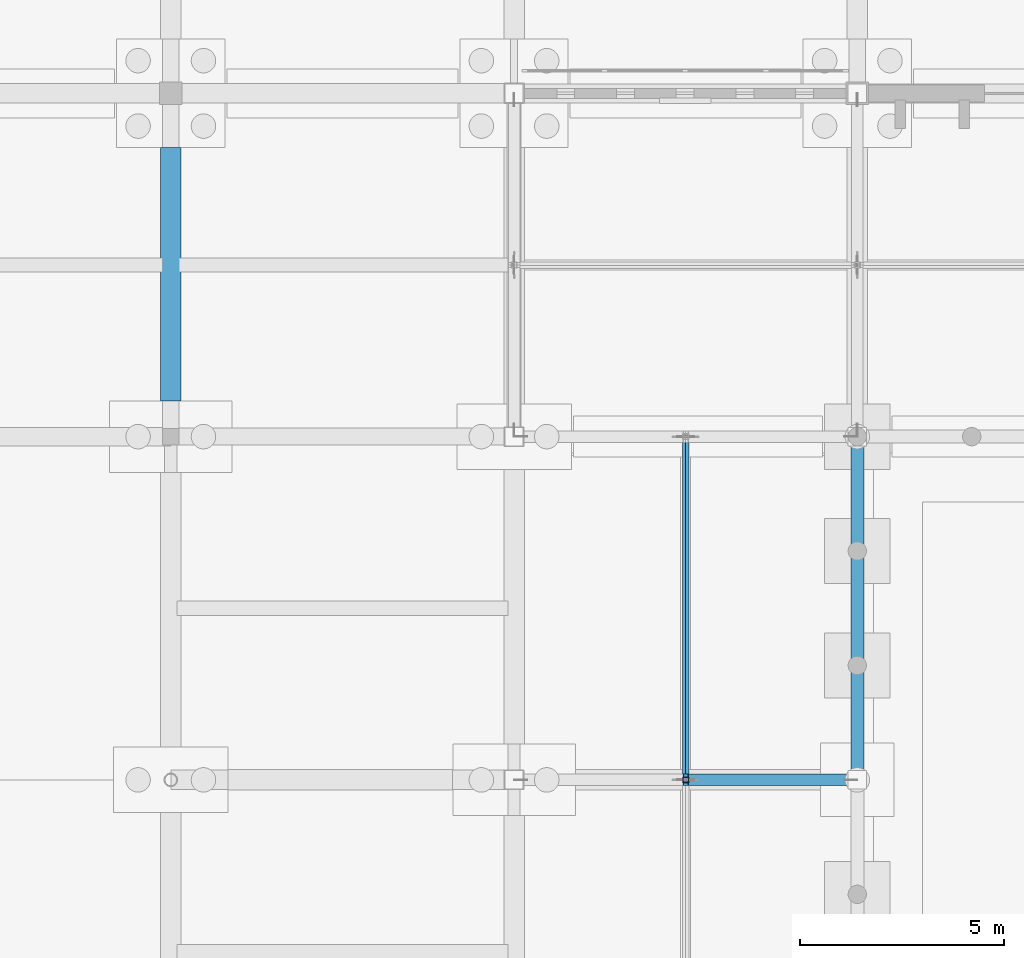
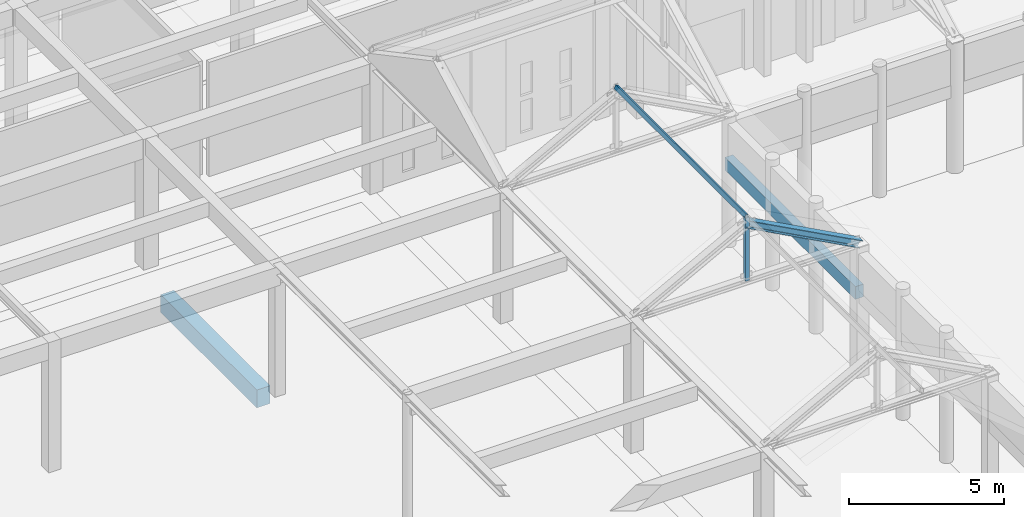
# One storey, part 57 of 143: 3 members, 2 beams.
"""IFC4 building model written with IfcOpenShell, lengths in metres."""

from ifc_helpers import new_model, si_unit, direction, frame, origin, origin_2d, place, context, subcontext, project, spatial, rectangle, hollow_rectangle, i_section, extrude, material, material_profile, profile_set, type_object, element, save


model = new_model("IFC4")

# Units and contexts
model_context = context("Model", 3, precision=1e-05, world=origin(), true_north=direction((0.0, 1.0)))
body_context = subcontext(model_context, "Body", "Model", "MODEL_VIEW")
ifc_project = project(units=[si_unit("LENGTHUNIT", "METRE"), si_unit("AREAUNIT", "SQUARE_METRE"), si_unit("VOLUMEUNIT", "CUBIC_METRE"), si_unit("PLANEANGLEUNIT", "RADIAN"), si_unit("MASSUNIT", "GRAM", prefix="KILO")], contexts=[model_context])

# Site, building, storey
site_placement = place(None, origin())
site = spatial("IfcSite", under=ifc_project, at=site_placement, CompositionType="ELEMENT")
building_placement = place(site_placement, origin())
building = spatial("IfcBuilding", under=site, at=building_placement, Name="Kveldsbrygga Polytechnic", CompositionType="ELEMENT")
storey_placement = place(building_placement, origin())
storey = spatial("IfcBuildingStorey", under=building, at=storey_placement, Name="L00", CompositionType="ELEMENT", Elevation=0.0)

# Beams
ifc_material_1 = material(Name="Concrete C35/45", Category="concrete")
ifc_material_profile_1 = material_profile(ifc_material_1, rectangle(XDim=0.5, YDim=0.699951171875, at=origin_2d()), Name="RC 500x700")
ifc_profile_set_1 = profile_set([ifc_material_profile_1], Name="Concrete C35/45")
beam_type_1 = type_object("IfcBeamType", Name="BM-TIE-500x700", PredefinedType="BEAM", material=ifc_profile_set_1)
beam_1_placement = place(storey_placement, frame((67.199951171875, 76.47705078125, -0.669921875), z_axis=(0.0, 1.0, 0.0), x_axis=(-1.0, 0.0, 0.0)))
element("IfcBeam", 1, at=beam_1_placement, inside=storey, type_object=beam_type_1, Name="Ground Tie Beam GB-L00-Y-08-09", PredefinedType="BEAM", context=body_context, shape_type="SweptSolid", body=[
    extrude(rectangle(XDim=0.5, YDim=0.699951171875, at=origin_2d()), origin(), (0.0, 0.0, 1.0), 6.196044921875),
])
ifc_material_profile_2 = material_profile(ifc_material_1, rectangle(XDim=0.300048828125, YDim=0.5, at=origin_2d()), Name="RC 300x500")
ifc_profile_set_2 = profile_set([ifc_material_profile_2], Name="Concrete C35/45")
beam_type_2 = type_object("IfcBeamType", Name="LNT-RC-300x500", PredefinedType="LINTEL", material=ifc_profile_set_2)
beam_2_placement = place(storey_placement, frame((84.0, 67.199951171875, 3.199951171875), z_axis=(0.0, 1.0, 0.0), x_axis=(-1.0, 0.0, 0.0)))
element("IfcBeam", 2, at=beam_2_placement, inside=storey, type_object=beam_type_2, Name="Cloister Arcade Arch Lintel Beam BM-ARC-HDR-20", PredefinedType="LINTEL", context=body_context, shape_type="SweptSolid", body=[
    extrude(rectangle(XDim=0.300048828125, YDim=0.5, at=origin_2d()), origin(), (0.0, 0.0, 1.0), 8.400146484375),
])

# Members
ifc_material_2 = material(Name="Steel S355", Category="steel")
ifc_material_profile_3 = material_profile(ifc_material_2, hollow_rectangle(XDim=0.10009765625, YDim=0.14990234375, WallThickness=0.008056640625, at=origin_2d()), Name="RHS 150x100x8.0")
ifc_profile_set_3 = profile_set([ifc_material_profile_3], Name="Steel S355")
member_type_1 = type_object("IfcMemberType", Name="PRL-RHS150", PredefinedType="PURLIN", material=ifc_profile_set_3)
member_1_placement = place(storey_placement, frame((79.800048828125, 67.199951171875, 7.6337890625), z_axis=(0.0, 1.0, 0.0), x_axis=(-0.881479888517, 0.0, 0.472221564671)))
element("IfcMember", 3, at=member_1_placement, inside=storey, type_object=member_type_1, Name="Roof Purlin ARC-EW-PRL-5-1", PredefinedType="PURLIN", context=body_context, shape_type="SweptSolid", body=[
    extrude(hollow_rectangle(XDim=0.10009765625, YDim=0.14990234375, WallThickness=0.008056640625, at=origin_2d()), origin(), (0.0, 0.0, 1.0), 8.400146484375),
])
ifc_material_profile_4 = material_profile(ifc_material_2, hollow_rectangle(XDim=0.139892578125, YDim=0.139892578125, WallThickness=0.008056640625, at=origin_2d()), Name="SHS 140x140x8.0")
ifc_profile_set_4 = profile_set([ifc_material_profile_4], Name="Steel S355")
member_type_2 = type_object("IfcMemberType", Name="TR-POST-SHS140", PredefinedType="STRUT", material=ifc_profile_set_4)
member_2_placement = place(storey_placement, frame((79.800048828125, 67.199951171875, 5.139892578125), z_axis=(0.0, 0.0, 1.0), x_axis=(1.0, 0.0, 0.0)))
element("IfcMember", 4, at=member_2_placement, inside=storey, type_object=member_type_2, Name="Truss Vertical ARC-EW-T05-VT-1", PredefinedType="STRUT", context=body_context, shape_type="SweptSolid", body=[
    extrude(hollow_rectangle(XDim=0.139892578125, YDim=0.139892578125, WallThickness=0.008056640625, at=origin_2d()), origin(), (0.0, 0.0, 1.0), 2.493896484375),
])
ifc_material_profile_5 = material_profile(ifc_material_2, i_section(OverallWidth=0.280029296875, OverallDepth=0.280029296875, WebThickness=0.010498046875, FlangeThickness=0.01806640625, FilletRadius=0.02392578125, at=origin_2d()), Name="HEB 280")
ifc_profile_set_5 = profile_set([ifc_material_profile_5], Name="Steel S355")
member_type_3 = type_object("IfcMemberType", Name="TR-TOP-HEB280", PredefinedType="CHORD", material=ifc_profile_set_5)
member_3_placement = place(storey_placement, frame((79.800048828125, 67.199951171875, 7.389892578125), z_axis=(0.881477684796, 0.0, -0.472225678258), x_axis=(0.0, 1.0, 0.0)))
element("IfcMember", 5, at=member_3_placement, inside=storey, type_object=member_type_3, Name="Truss Top Chord ARC-EW-T05-TC-2", PredefinedType="CHORD", context=body_context, shape_type="SweptSolid", body=[
    extrude(i_section(OverallWidth=0.280029296875, OverallDepth=0.280029296875, WebThickness=0.010498046875, FlangeThickness=0.01806640625, FilletRadius=0.02392578125, at=origin_2d()), origin(), (0.0, 0.0, 1.0), 4.7646484375),
])

save(model, "model.ifc")
